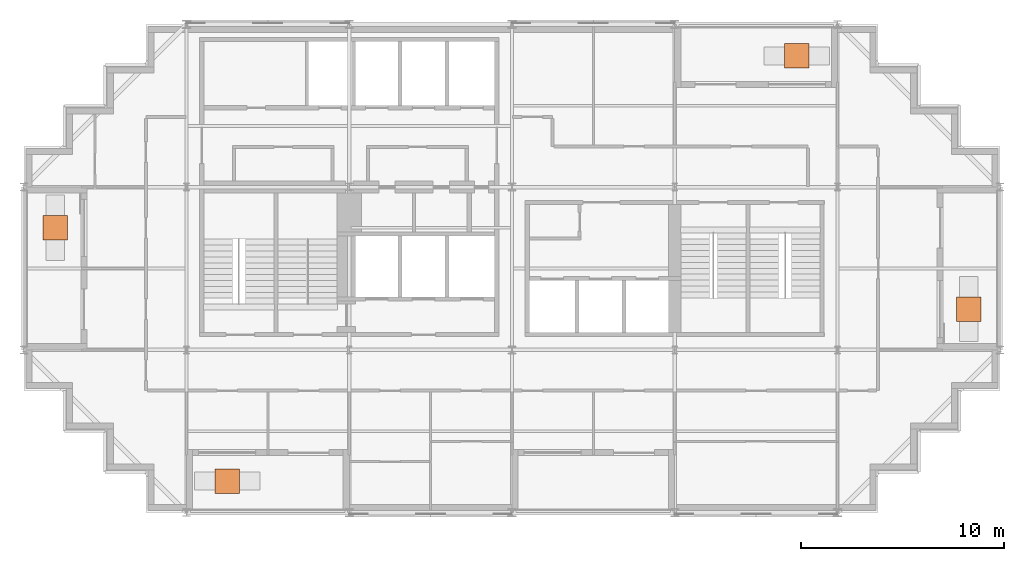
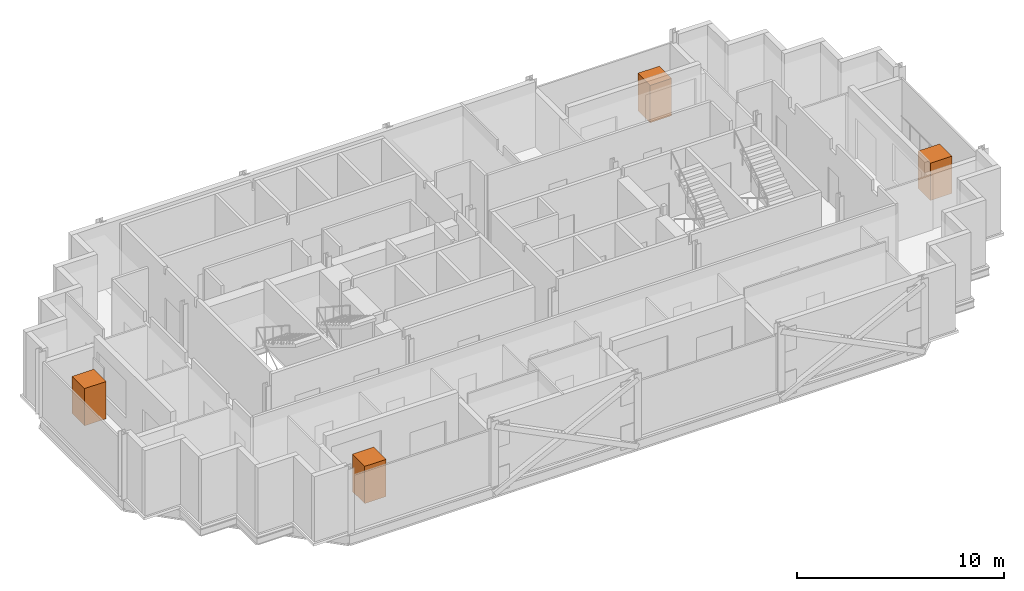
# One storey, part 10 of 10: 4 geographic elements.
"""IFC4 building model written with IfcOpenShell, lengths in metres."""

from ifc_helpers import new_model, si_unit, direction, frame, origin, origin_2d, place, context, subcontext, project, spatial, rectangle, extrude, material, type_object, element, save


model = new_model("IFC4")

# Units and contexts
model_context = context("Model", 3, precision=1e-05, world=origin(), true_north=direction((0.0, 1.0)))
body_context = subcontext(model_context, "Body", "Model", "MODEL_VIEW")
ifc_project = project(units=[si_unit("LENGTHUNIT", "METRE"), si_unit("AREAUNIT", "SQUARE_METRE"), si_unit("VOLUMEUNIT", "CUBIC_METRE"), si_unit("PLANEANGLEUNIT", "RADIAN"), si_unit("MASSUNIT", "GRAM", prefix="KILO")], contexts=[model_context])

# Site, building, storey
site_placement = place(None, origin())
site = spatial("IfcSite", under=ifc_project, at=site_placement, CompositionType="ELEMENT")
building_placement = place(site_placement, origin())
building = spatial("IfcBuilding", under=site, at=building_placement, Name="Immortelle Media Tower", CompositionType="ELEMENT")
storey_placement = place(building_placement, frame((0.0, 0.0, 291.0)))
storey = spatial("IfcBuildingStorey", under=building, at=storey_placement, Name="L64", CompositionType="ELEMENT", Elevation=291.0)

# Geographic elements
ifc_material = material(Name="Tree canopy foliage")
geographic_element_type = type_object("IfcGeographicElementType", Name="Tree", PredefinedType="USERDEFINED", material=ifc_material)
for number, where, z_axis, x_axis, name in (
    (1, (10.0, 1.550048828125, 0.60009765625), (0.0, 0.0, 1.0), (1.0, 0.0, 0.0), "Tree L64 S0"),
    (2, (46.449951171875, 10.0, 0.60009765625), (0.0, 0.0, 1.0), (1.0, 0.0, 0.0), "Tree L64 E0"),
    (3, (38.0, 22.449951171875, 0.60009765625), (0.0, 0.0, 1.0), (1.0, 0.0, 0.0), "Tree L64 N0"),
    (4, (1.550048828125, 14.0, 0.60009765625), (0.0, 0.0, 1.0), (1.0, 0.0, 0.0), "Tree L64 W0"),
):
    element("IfcGeographicElement", number, at=place(storey_placement, frame(where, z_axis=z_axis, x_axis=x_axis)), inside=storey, type_object=geographic_element_type, Name=name, ObjectType="Tree", PredefinedType="USERDEFINED", context=body_context, shape_type="SweptSolid", body=[
        extrude(rectangle(XDim=1.199951171875, YDim=1.199951171875, at=origin_2d()), origin(), (0.0, 0.0, 1.0), 2.199951171875),
    ])

save(model, "model.ifc")
